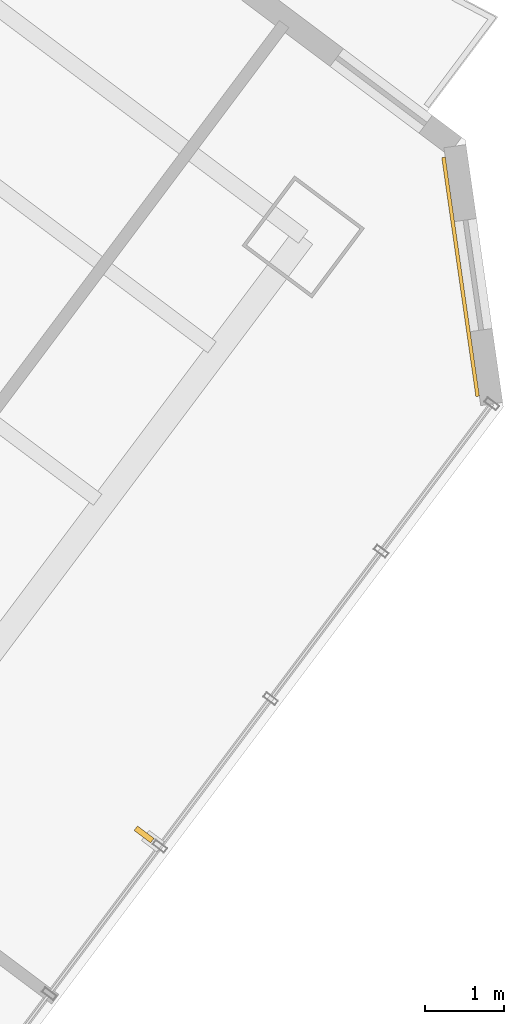
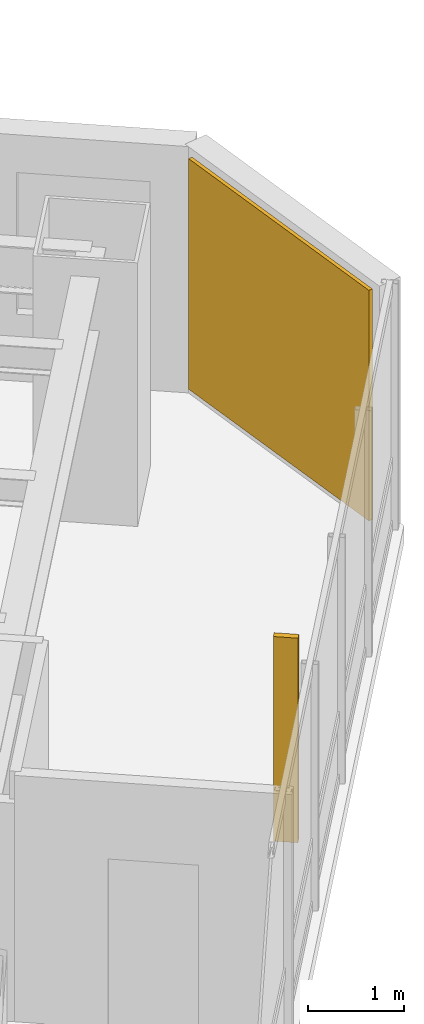
# One storey, part 37 of 37: 1 covering, 1 shading device.
"""IFC4 building model written with IfcOpenShell, lengths in metres."""

from ifc_helpers import new_model, si_unit, direction, frame, origin, origin_2d, place, context, subcontext, project, spatial, rectangle, extrude, material, layer, layer_set, type_object, element, save


model = new_model("IFC4")

# Units and contexts
model_context = context("Model", 3, precision=1e-05, world=origin(), true_north=direction((0.0, 1.0)))
body_context = subcontext(model_context, "Body", "Model", "MODEL_VIEW")
ifc_project = project(units=[si_unit("LENGTHUNIT", "METRE"), si_unit("AREAUNIT", "SQUARE_METRE"), si_unit("VOLUMEUNIT", "CUBIC_METRE"), si_unit("PLANEANGLEUNIT", "RADIAN"), si_unit("MASSUNIT", "GRAM", prefix="KILO")], contexts=[model_context])

# Site, building, storey
site_placement = place(None, origin())
site = spatial("IfcSite", under=ifc_project, at=site_placement, CompositionType="ELEMENT")
building_placement = place(site_placement, origin())
building = spatial("IfcBuilding", under=site, at=building_placement, Name="Hatsunagi Terrace Concourse", CompositionType="ELEMENT")
storey_placement = place(building_placement, frame((0.0, 0.0, 50.0)))
storey = spatial("IfcBuildingStorey", under=building, at=storey_placement, Name="L12", CompositionType="ELEMENT", Elevation=50.0)

# Shading device
ifc_material_1 = material(Name="Extruded Unglazed Terracotta Baguette", Category="masonry")
shading_device_type = type_object("IfcShadingDeviceType", Name="TerracottaFinScreen_260x70", PredefinedType="USERDEFINED", material=ifc_material_1)
shading_device_placement = place(storey_placement, frame((64.716064453125, 14.239013671875, 0.849853515625), z_axis=(0.0, 0.0, 1.0), x_axis=(-0.599969314634, -0.800023013105, 0.0)))
element("IfcShadingDevice", 1, at=shading_device_placement, inside=storey, type_object=shading_device_type, Name="Terracotta Baguette Fin Screen SCR-01", ObjectType="SUNSHADE", PredefinedType="USERDEFINED", context=body_context, shape_type="SweptSolid", body=[
    extrude(rectangle(XDim=0.070068359375, YDim=0.260009765625, at=origin_2d()), origin(), (0.0, 0.0, 1.0), 2.60009765625),
])

# Covering
ifc_material_2 = material(Name="Unglazed Warm Terracotta Rainscreen Tile", Category="masonry")
ifc_layer = layer(ifc_material_2, 0.044921875)
ifc_layer_set = layer_set([ifc_layer], Name="TerracottaRainscreenCladding_45")
covering_type = type_object("IfcCoveringType", Name="TerracottaRainscreenCladding_45", PredefinedType="CLADDING", material=ifc_layer_set)
covering_placement = place(storey_placement, frame((68.700927734375, 21.258056640625, 0.10009765625), z_axis=(0.0, 0.0, 1.0), x_axis=(0.141250262458, -0.989973920543, 0.0)))
element("IfcCovering", 2, at=covering_placement, inside=storey, type_object=covering_type, Name="Terracotta Rainscreen Cladding L12-02", PredefinedType="CLADDING", context=body_context, shape_type="SweptSolid", body=[
    extrude(rectangle(XDim=3.0380859375, YDim=0.044921875, at=origin_2d()), origin(), (0.0, 0.0, 1.0), 2.929931640625),
])

save(model, "model.ifc")
